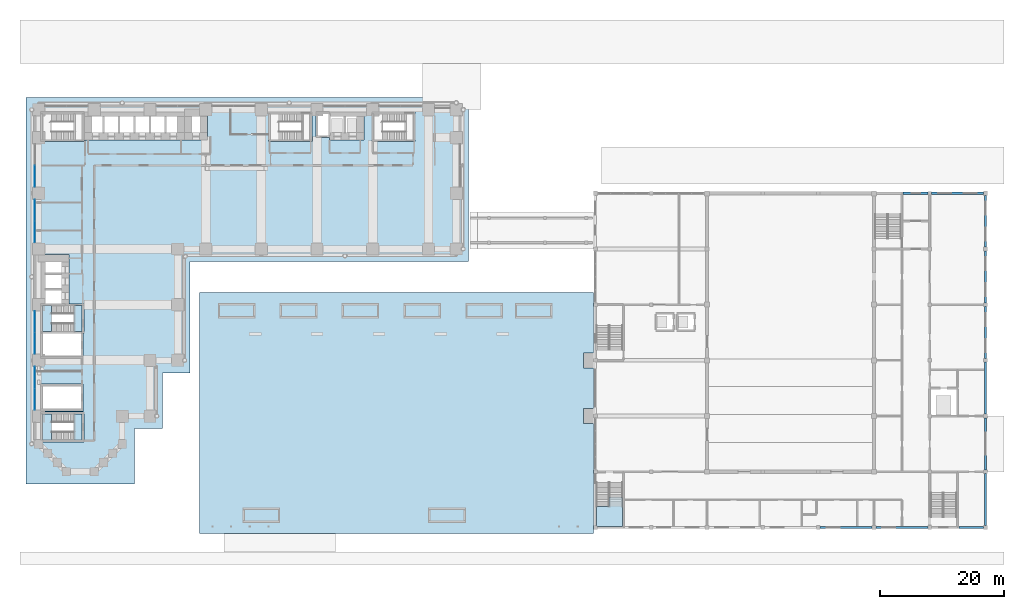
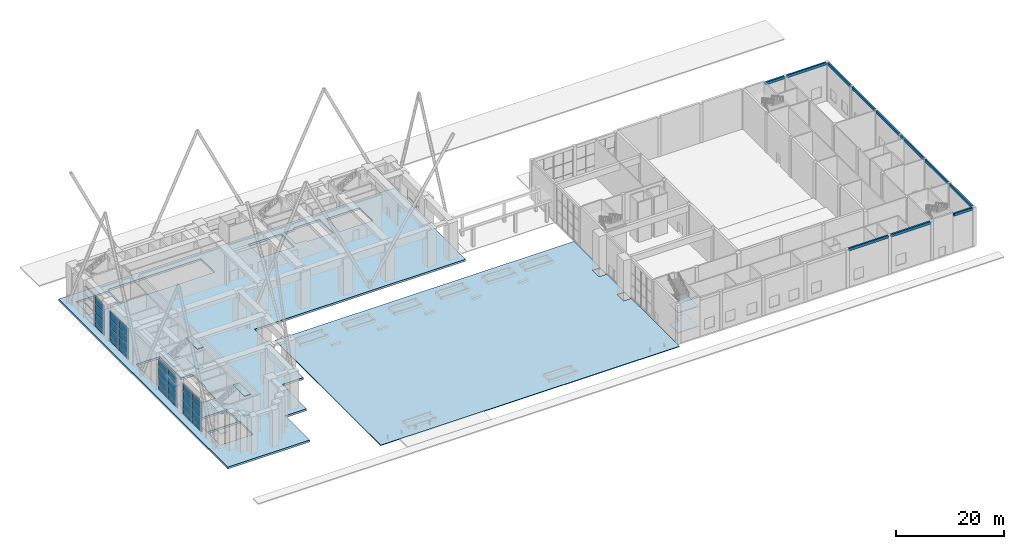
# One storey, part 23 of 44: 28 plates, 12 slabs, 11 beams, 7 elements without a shape of their own.
"""IFC4 building model written with IfcOpenShell, lengths in metres."""

from ifc_helpers import new_model, si_unit, direction, frame, origin, origin_2d, place, context, subcontext, project, spatial, polyline, rectangle, outline, extrude, material, layer, layer_set, material_profile, profile_set, type_object, element, aggregate, save


model = new_model("IFC4")

# Units and contexts
model_context = context("Model", 3, precision=1e-05, world=origin(), true_north=direction((0.0, 1.0)))
body_context = subcontext(model_context, "Body", "Model", "MODEL_VIEW")
ifc_project = project(units=[si_unit("LENGTHUNIT", "METRE"), si_unit("AREAUNIT", "SQUARE_METRE"), si_unit("VOLUMEUNIT", "CUBIC_METRE"), si_unit("PLANEANGLEUNIT", "RADIAN"), si_unit("MASSUNIT", "GRAM", prefix="KILO")], contexts=[model_context])

# Site, building, storey
site_placement = place(None, origin())
site = spatial("IfcSite", under=ifc_project, at=site_placement, CompositionType="ELEMENT")
building_placement = place(site_placement, origin())
building = spatial("IfcBuilding", under=site, at=building_placement, Name="Firuza Court", CompositionType="ELEMENT")
storey_placement = place(building_placement, origin())
storey = spatial("IfcBuildingStorey", under=building, at=storey_placement, Name="L00", CompositionType="ELEMENT", Elevation=0.0)

# Beams
ifc_material_1 = material(Name="Concrete C40/50", Category="concrete")
ifc_material_profile = material_profile(ifc_material_1, rectangle(XDim=0.35009765625, YDim=0.60009765625, at=origin_2d()), Name="RC 350X600")
ifc_profile_set = profile_set([ifc_material_profile], Name="Concrete C40/50")
beam_type = type_object("IfcBeamType", Name="RC RING BEAM 350X600", PredefinedType="BEAM", material=ifc_profile_set)
for number, where, z_axis, x_axis, name in (
    (1, (126.300048828125, -9.0, 8.39990234375), (1.0, 0.0, 0.0), (0.0, 1.0, 0.0), "Edge beam S2.1 L00"),
    (2, (135.300048828125, -9.0, 8.39990234375), (1.0, 0.0, 0.0), (0.0, 1.0, 0.0), "Edge beam S4.1 L00"),
):
    element("IfcBeam", number, at=place(storey_placement, frame(where, z_axis=z_axis, x_axis=x_axis)), inside=storey, type_object=beam_type, Name=name, PredefinedType="BEAM", context=body_context, shape_type="SweptSolid", body=[
        extrude(rectangle(XDim=0.35009765625, YDim=0.60009765625, at=origin_2d()), origin(), (0.0, 0.0, 1.0), 8.39990234375),
    ])
beam_1_placement = place(storey_placement, frame((139.699951171875, 45.0, 8.39990234375), z_axis=(1.0, 0.0, 0.0), x_axis=(0.0, 1.0, 0.0)))
element("IfcBeam", 3, at=beam_1_placement, inside=storey, type_object=beam_type, Name="Edge beam N5.1 L00", PredefinedType="BEAM", context=body_context, shape_type="SweptSolid", body=[
    extrude(rectangle(XDim=0.35009765625, YDim=0.60009765625, at=origin_2d()), origin(), (0.0, 0.0, 1.0), 4.0),
])
beam_2_placement = place(storey_placement, frame((148.699951171875, -9.0, 8.39990234375), z_axis=(1.0, 0.0, 0.0), x_axis=(0.0, 1.0, 0.0)))
element("IfcBeam", 4, at=beam_2_placement, inside=storey, type_object=beam_type, Name="Edge beam S6.1 L00", PredefinedType="BEAM", context=body_context, shape_type="SweptSolid", body=[
    extrude(rectangle(XDim=0.35009765625, YDim=0.60009765625, at=origin_2d()), origin(), (0.0, 0.0, 1.0), 3.949951171875),
])
for number, where, z_axis, x_axis, name in (
    (5, (144.300048828125, 45.0, 8.39990234375), (1.0, 0.0, 0.0), (0.0, 1.0, 0.0), "Edge beam N7.1 L00"),
    (6, (153.0, -8.64990234375, 8.39990234375), (0.0, 1.0, 0.0), (-1.0, 0.0, 0.0), "Edge beam E2.1 L00"),
):
    element("IfcBeam", number, at=place(storey_placement, frame(where, z_axis=z_axis, x_axis=x_axis)), inside=storey, type_object=beam_type, Name=name, PredefinedType="BEAM", context=body_context, shape_type="SweptSolid", body=[
        extrude(rectangle(XDim=0.35009765625, YDim=0.60009765625, at=origin_2d()), origin(), (0.0, 0.0, 1.0), 8.349853515625),
    ])
for number, where, z_axis, x_axis, name in (
    (7, (153.0, 0.300048828125, 8.39990234375), (0.0, 1.0, 0.0), (-1.0, 0.0, 0.0), "Edge beam E4.1 L00"),
    (8, (153.0, 9.300048828125, 8.39990234375), (0.0, 1.0, 0.0), (-1.0, 0.0, 0.0), "Edge beam E6.1 L00"),
    (9, (153.0, 18.300048828125, 8.39990234375), (0.0, 1.0, 0.0), (-1.0, 0.0, 0.0), "Edge beam E1.1 L00"),
    (10, (153.0, 27.300048828125, 8.39990234375), (0.0, 1.0, 0.0), (-1.0, 0.0, 0.0), "Edge beam E3.1 L00"),
):
    element("IfcBeam", number, at=place(storey_placement, frame(where, z_axis=z_axis, x_axis=x_axis)), inside=storey, type_object=beam_type, Name=name, PredefinedType="BEAM", context=body_context, shape_type="SweptSolid", body=[
        extrude(rectangle(XDim=0.35009765625, YDim=0.60009765625, at=origin_2d()), origin(), (0.0, 0.0, 1.0), 8.39990234375),
    ])
beam_3_placement = place(storey_placement, frame((153.0, 36.300048828125, 8.39990234375), z_axis=(0.0, 1.0, 0.0), x_axis=(-1.0, 0.0, 0.0)))
element("IfcBeam", 11, at=beam_3_placement, inside=storey, type_object=beam_type, Name="Edge beam E5.1 L00", PredefinedType="BEAM", context=body_context, shape_type="SweptSolid", body=[
    extrude(rectangle(XDim=0.35009765625, YDim=0.60009765625, at=origin_2d()), origin(), (0.0, 0.0, 1.0), 8.349853515625),
])

# Curtain wall, plates
ifc_material_2 = material(Name="Aluminium curtain wall, triple clear glazing", Category="aluminium")
curtain_wall_type = type_object("IfcCurtainWallType", Name="Ground lobby stick shopfront CW2", PredefinedType="NOTDEFINED", material=ifc_material_2)
curtain_wall_1_placement = place(storey_placement, origin())
curtain_wall_1 = element("IfcCurtainWall", 12, at=curtain_wall_1_placement, inside=storey, type_object=curtain_wall_type, Name="Ground lobby stick shopfront CW2 L00", PredefinedType="NOTDEFINED")
ifc_material_3 = material(Name="Triple clear glazing", Category="glass")
ifc_layer_1 = layer(ifc_material_3, 0.031982421875)
ifc_layer_set_1 = layer_set([ifc_layer_1], Name="Triple clear glazing")
plate_type = type_object("IfcPlateType", Name="Glazed panel 32 CW2", PredefinedType="CURTAIN_PANEL", material=ifc_layer_set_1)
plate_1_placement = place(storey_placement, frame((-0.60009765625, 47.764892578125, 0.06005859375), z_axis=(0.0, 0.0, 1.0), x_axis=(0.0, -1.0, 0.0)))
plate_1 = element("IfcPlate", 13, at=plate_1_placement, type_object=plate_type, Name="CW2 panel 2.1", PredefinedType="CURTAIN_PANEL", context=body_context, shape_type="SweptSolid", body=[
    extrude(rectangle(XDim=3.409912109375, YDim=0.031982421875, at=origin_2d()), origin(), (0.0, 0.0, 1.0), 1.110107421875),
])
plate_2_placement = place(storey_placement, frame((-0.60009765625, 47.764892578125, 1.22998046875), z_axis=(0.0, 0.0, 1.0), x_axis=(0.0, -1.0, 0.0)))
plate_2 = element("IfcPlate", 14, at=plate_2_placement, type_object=plate_type, Name="CW2 panel 2.2", PredefinedType="CURTAIN_PANEL", context=body_context, shape_type="SweptSolid", body=[
    extrude(rectangle(XDim=3.409912109375, YDim=0.031982421875, at=origin_2d()), origin(), (0.0, 0.0, 1.0), 1.93994140625),
])
plate_3_placement = place(storey_placement, frame((-0.60009765625, 47.764892578125, 3.22998046875), z_axis=(0.0, 0.0, 1.0), x_axis=(0.0, -1.0, 0.0)))
plate_3 = element("IfcPlate", 15, at=plate_3_placement, type_object=plate_type, Name="CW2 panel 2.3", PredefinedType="CURTAIN_PANEL", context=body_context, shape_type="SweptSolid", body=[
    extrude(rectangle(XDim=3.409912109375, YDim=0.031982421875, at=origin_2d()), origin(), (0.0, 0.0, 1.0), 1.93994140625),
])
plate_4_placement = place(storey_placement, frame((-0.60009765625, 47.764892578125, 5.22998046875), z_axis=(0.0, 0.0, 1.0), x_axis=(0.0, -1.0, 0.0)))
plate_4 = element("IfcPlate", 16, at=plate_4_placement, type_object=plate_type, Name="CW2 panel 2.4", PredefinedType="CURTAIN_PANEL", context=body_context, shape_type="SweptSolid", body=[
    extrude(rectangle(XDim=3.409912109375, YDim=0.031982421875, at=origin_2d()), origin(), (0.0, 0.0, 1.0), 1.7099609375),
])
aggregate(curtain_wall_1, [plate_1, plate_2, plate_3, plate_4])

curtain_wall_2_placement = place(storey_placement, origin())
curtain_wall_2 = element("IfcCurtainWall", 17, at=curtain_wall_2_placement, inside=storey, type_object=curtain_wall_type, Name="Ground lobby stick shopfront CW2 L00", PredefinedType="NOTDEFINED")
plate_5_placement = place(storey_placement, frame((-0.60009765625, 42.235107421875, 0.06005859375), z_axis=(0.0, 0.0, 1.0), x_axis=(0.0, -1.0, 0.0)))
plate_5 = element("IfcPlate", 18, at=plate_5_placement, type_object=plate_type, Name="CW2 panel 1.1", PredefinedType="CURTAIN_PANEL", context=body_context, shape_type="SweptSolid", body=[
    extrude(rectangle(XDim=3.409912109375, YDim=0.031982421875, at=origin_2d()), origin(), (0.0, 0.0, 1.0), 1.110107421875),
])
plate_6_placement = place(storey_placement, frame((-0.60009765625, 42.235107421875, 1.22998046875), z_axis=(0.0, 0.0, 1.0), x_axis=(0.0, -1.0, 0.0)))
plate_6 = element("IfcPlate", 19, at=plate_6_placement, type_object=plate_type, Name="CW2 panel 1.2", PredefinedType="CURTAIN_PANEL", context=body_context, shape_type="SweptSolid", body=[
    extrude(rectangle(XDim=3.409912109375, YDim=0.031982421875, at=origin_2d()), origin(), (0.0, 0.0, 1.0), 1.93994140625),
])
plate_7_placement = place(storey_placement, frame((-0.60009765625, 42.235107421875, 3.22998046875), z_axis=(0.0, 0.0, 1.0), x_axis=(0.0, -1.0, 0.0)))
plate_7 = element("IfcPlate", 20, at=plate_7_placement, type_object=plate_type, Name="CW2 panel 1.3", PredefinedType="CURTAIN_PANEL", context=body_context, shape_type="SweptSolid", body=[
    extrude(rectangle(XDim=3.409912109375, YDim=0.031982421875, at=origin_2d()), origin(), (0.0, 0.0, 1.0), 1.93994140625),
])
plate_8_placement = place(storey_placement, frame((-0.60009765625, 42.235107421875, 5.22998046875), z_axis=(0.0, 0.0, 1.0), x_axis=(0.0, -1.0, 0.0)))
plate_8 = element("IfcPlate", 21, at=plate_8_placement, type_object=plate_type, Name="CW2 panel 1.4", PredefinedType="CURTAIN_PANEL", context=body_context, shape_type="SweptSolid", body=[
    extrude(rectangle(XDim=3.409912109375, YDim=0.031982421875, at=origin_2d()), origin(), (0.0, 0.0, 1.0), 1.7099609375),
])
plate_9_placement = place(storey_placement, frame((-0.60009765625, 38.764892578125, 0.06005859375), z_axis=(0.0, 0.0, 1.0), x_axis=(0.0, -1.0, 0.0)))
plate_9 = element("IfcPlate", 22, at=plate_9_placement, type_object=plate_type, Name="CW2 panel 2.1", PredefinedType="CURTAIN_PANEL", context=body_context, shape_type="SweptSolid", body=[
    extrude(rectangle(XDim=3.409912109375, YDim=0.031982421875, at=origin_2d()), origin(), (0.0, 0.0, 1.0), 1.110107421875),
])
plate_10_placement = place(storey_placement, frame((-0.60009765625, 38.764892578125, 1.22998046875), z_axis=(0.0, 0.0, 1.0), x_axis=(0.0, -1.0, 0.0)))
plate_10 = element("IfcPlate", 23, at=plate_10_placement, type_object=plate_type, Name="CW2 panel 2.2", PredefinedType="CURTAIN_PANEL", context=body_context, shape_type="SweptSolid", body=[
    extrude(rectangle(XDim=3.409912109375, YDim=0.031982421875, at=origin_2d()), origin(), (0.0, 0.0, 1.0), 1.93994140625),
])
plate_11_placement = place(storey_placement, frame((-0.60009765625, 38.764892578125, 3.22998046875), z_axis=(0.0, 0.0, 1.0), x_axis=(0.0, -1.0, 0.0)))
plate_11 = element("IfcPlate", 24, at=plate_11_placement, type_object=plate_type, Name="CW2 panel 2.3", PredefinedType="CURTAIN_PANEL", context=body_context, shape_type="SweptSolid", body=[
    extrude(rectangle(XDim=3.409912109375, YDim=0.031982421875, at=origin_2d()), origin(), (0.0, 0.0, 1.0), 1.93994140625),
])
plate_12_placement = place(storey_placement, frame((-0.60009765625, 38.764892578125, 5.22998046875), z_axis=(0.0, 0.0, 1.0), x_axis=(0.0, -1.0, 0.0)))
plate_12 = element("IfcPlate", 25, at=plate_12_placement, type_object=plate_type, Name="CW2 panel 2.4", PredefinedType="CURTAIN_PANEL", context=body_context, shape_type="SweptSolid", body=[
    extrude(rectangle(XDim=3.409912109375, YDim=0.031982421875, at=origin_2d()), origin(), (0.0, 0.0, 1.0), 1.7099609375),
])
aggregate(curtain_wall_2, [plate_5, plate_6, plate_7, plate_8, plate_9, plate_10, plate_11, plate_12])

curtain_wall_3_placement = place(storey_placement, origin())
curtain_wall_3 = element("IfcCurtainWall", 26, at=curtain_wall_3_placement, inside=storey, type_object=curtain_wall_type, Name="Ground lobby stick shopfront CW2 L00", PredefinedType="NOTDEFINED")
plate_13_placement = place(storey_placement, frame((-0.60009765625, 24.235107421875, 0.06005859375), z_axis=(0.0, 0.0, 1.0), x_axis=(0.0, -1.0, 0.0)))
plate_13 = element("IfcPlate", 27, at=plate_13_placement, type_object=plate_type, Name="CW2 panel 1.1", PredefinedType="CURTAIN_PANEL", context=body_context, shape_type="SweptSolid", body=[
    extrude(rectangle(XDim=3.409912109375, YDim=0.031982421875, at=origin_2d()), origin(), (0.0, 0.0, 1.0), 1.110107421875),
])
plate_14_placement = place(storey_placement, frame((-0.60009765625, 24.235107421875, 1.22998046875), z_axis=(0.0, 0.0, 1.0), x_axis=(0.0, -1.0, 0.0)))
plate_14 = element("IfcPlate", 28, at=plate_14_placement, type_object=plate_type, Name="CW2 panel 1.2", PredefinedType="CURTAIN_PANEL", context=body_context, shape_type="SweptSolid", body=[
    extrude(rectangle(XDim=3.409912109375, YDim=0.031982421875, at=origin_2d()), origin(), (0.0, 0.0, 1.0), 1.93994140625),
])
plate_15_placement = place(storey_placement, frame((-0.60009765625, 24.235107421875, 3.22998046875), z_axis=(0.0, 0.0, 1.0), x_axis=(0.0, -1.0, 0.0)))
plate_15 = element("IfcPlate", 29, at=plate_15_placement, type_object=plate_type, Name="CW2 panel 1.3", PredefinedType="CURTAIN_PANEL", context=body_context, shape_type="SweptSolid", body=[
    extrude(rectangle(XDim=3.409912109375, YDim=0.031982421875, at=origin_2d()), origin(), (0.0, 0.0, 1.0), 1.93994140625),
])
plate_16_placement = place(storey_placement, frame((-0.60009765625, 24.235107421875, 5.22998046875), z_axis=(0.0, 0.0, 1.0), x_axis=(0.0, -1.0, 0.0)))
plate_16 = element("IfcPlate", 30, at=plate_16_placement, type_object=plate_type, Name="CW2 panel 1.4", PredefinedType="CURTAIN_PANEL", context=body_context, shape_type="SweptSolid", body=[
    extrude(rectangle(XDim=3.409912109375, YDim=0.031982421875, at=origin_2d()), origin(), (0.0, 0.0, 1.0), 1.7099609375),
])
plate_17_placement = place(storey_placement, frame((-0.60009765625, 20.764892578125, 0.06005859375), z_axis=(0.0, 0.0, 1.0), x_axis=(0.0, -1.0, 0.0)))
plate_17 = element("IfcPlate", 31, at=plate_17_placement, type_object=plate_type, Name="CW2 panel 2.1", PredefinedType="CURTAIN_PANEL", context=body_context, shape_type="SweptSolid", body=[
    extrude(rectangle(XDim=3.409912109375, YDim=0.031982421875, at=origin_2d()), origin(), (0.0, 0.0, 1.0), 1.110107421875),
])
plate_18_placement = place(storey_placement, frame((-0.60009765625, 20.764892578125, 1.22998046875), z_axis=(0.0, 0.0, 1.0), x_axis=(0.0, -1.0, 0.0)))
plate_18 = element("IfcPlate", 32, at=plate_18_placement, type_object=plate_type, Name="CW2 panel 2.2", PredefinedType="CURTAIN_PANEL", context=body_context, shape_type="SweptSolid", body=[
    extrude(rectangle(XDim=3.409912109375, YDim=0.031982421875, at=origin_2d()), origin(), (0.0, 0.0, 1.0), 1.93994140625),
])
plate_19_placement = place(storey_placement, frame((-0.60009765625, 20.764892578125, 3.22998046875), z_axis=(0.0, 0.0, 1.0), x_axis=(0.0, -1.0, 0.0)))
plate_19 = element("IfcPlate", 33, at=plate_19_placement, type_object=plate_type, Name="CW2 panel 2.3", PredefinedType="CURTAIN_PANEL", context=body_context, shape_type="SweptSolid", body=[
    extrude(rectangle(XDim=3.409912109375, YDim=0.031982421875, at=origin_2d()), origin(), (0.0, 0.0, 1.0), 1.93994140625),
])
plate_20_placement = place(storey_placement, frame((-0.60009765625, 20.764892578125, 5.22998046875), z_axis=(0.0, 0.0, 1.0), x_axis=(0.0, -1.0, 0.0)))
plate_20 = element("IfcPlate", 34, at=plate_20_placement, type_object=plate_type, Name="CW2 panel 2.4", PredefinedType="CURTAIN_PANEL", context=body_context, shape_type="SweptSolid", body=[
    extrude(rectangle(XDim=3.409912109375, YDim=0.031982421875, at=origin_2d()), origin(), (0.0, 0.0, 1.0), 1.7099609375),
])
aggregate(curtain_wall_3, [plate_13, plate_14, plate_15, plate_16, plate_17, plate_18, plate_19, plate_20])

curtain_wall_4_placement = place(storey_placement, origin())
curtain_wall_4 = element("IfcCurtainWall", 35, at=curtain_wall_4_placement, inside=storey, type_object=curtain_wall_type, Name="Ground lobby stick shopfront CW2 L00", PredefinedType="NOTDEFINED")
plate_21_placement = place(storey_placement, frame((-0.60009765625, 15.235107421875, 0.06005859375), z_axis=(0.0, 0.0, 1.0), x_axis=(0.0, -1.0, 0.0)))
plate_21 = element("IfcPlate", 36, at=plate_21_placement, type_object=plate_type, Name="CW2 panel 1.1", PredefinedType="CURTAIN_PANEL", context=body_context, shape_type="SweptSolid", body=[
    extrude(rectangle(XDim=3.409912109375, YDim=0.031982421875, at=origin_2d()), origin(), (0.0, 0.0, 1.0), 1.110107421875),
])
plate_22_placement = place(storey_placement, frame((-0.60009765625, 15.235107421875, 1.22998046875), z_axis=(0.0, 0.0, 1.0), x_axis=(0.0, -1.0, 0.0)))
plate_22 = element("IfcPlate", 37, at=plate_22_placement, type_object=plate_type, Name="CW2 panel 1.2", PredefinedType="CURTAIN_PANEL", context=body_context, shape_type="SweptSolid", body=[
    extrude(rectangle(XDim=3.409912109375, YDim=0.031982421875, at=origin_2d()), origin(), (0.0, 0.0, 1.0), 1.93994140625),
])
plate_23_placement = place(storey_placement, frame((-0.60009765625, 15.235107421875, 3.22998046875), z_axis=(0.0, 0.0, 1.0), x_axis=(0.0, -1.0, 0.0)))
plate_23 = element("IfcPlate", 38, at=plate_23_placement, type_object=plate_type, Name="CW2 panel 1.3", PredefinedType="CURTAIN_PANEL", context=body_context, shape_type="SweptSolid", body=[
    extrude(rectangle(XDim=3.409912109375, YDim=0.031982421875, at=origin_2d()), origin(), (0.0, 0.0, 1.0), 1.93994140625),
])
plate_24_placement = place(storey_placement, frame((-0.60009765625, 15.235107421875, 5.22998046875), z_axis=(0.0, 0.0, 1.0), x_axis=(0.0, -1.0, 0.0)))
plate_24 = element("IfcPlate", 39, at=plate_24_placement, type_object=plate_type, Name="CW2 panel 1.4", PredefinedType="CURTAIN_PANEL", context=body_context, shape_type="SweptSolid", body=[
    extrude(rectangle(XDim=3.409912109375, YDim=0.031982421875, at=origin_2d()), origin(), (0.0, 0.0, 1.0), 1.7099609375),
])
plate_25_placement = place(storey_placement, frame((-0.60009765625, 11.764892578125, 0.06005859375), z_axis=(0.0, 0.0, 1.0), x_axis=(0.0, -1.0, 0.0)))
plate_25 = element("IfcPlate", 40, at=plate_25_placement, type_object=plate_type, Name="CW2 panel 2.1", PredefinedType="CURTAIN_PANEL", context=body_context, shape_type="SweptSolid", body=[
    extrude(rectangle(XDim=3.409912109375, YDim=0.031982421875, at=origin_2d()), origin(), (0.0, 0.0, 1.0), 1.110107421875),
])
plate_26_placement = place(storey_placement, frame((-0.60009765625, 11.764892578125, 1.22998046875), z_axis=(0.0, 0.0, 1.0), x_axis=(0.0, -1.0, 0.0)))
plate_26 = element("IfcPlate", 41, at=plate_26_placement, type_object=plate_type, Name="CW2 panel 2.2", PredefinedType="CURTAIN_PANEL", context=body_context, shape_type="SweptSolid", body=[
    extrude(rectangle(XDim=3.409912109375, YDim=0.031982421875, at=origin_2d()), origin(), (0.0, 0.0, 1.0), 1.93994140625),
])
plate_27_placement = place(storey_placement, frame((-0.60009765625, 11.764892578125, 3.22998046875), z_axis=(0.0, 0.0, 1.0), x_axis=(0.0, -1.0, 0.0)))
plate_27 = element("IfcPlate", 42, at=plate_27_placement, type_object=plate_type, Name="CW2 panel 2.3", PredefinedType="CURTAIN_PANEL", context=body_context, shape_type="SweptSolid", body=[
    extrude(rectangle(XDim=3.409912109375, YDim=0.031982421875, at=origin_2d()), origin(), (0.0, 0.0, 1.0), 1.93994140625),
])
plate_28_placement = place(storey_placement, frame((-0.60009765625, 11.764892578125, 5.22998046875), z_axis=(0.0, 0.0, 1.0), x_axis=(0.0, -1.0, 0.0)))
plate_28 = element("IfcPlate", 43, at=plate_28_placement, type_object=plate_type, Name="CW2 panel 2.4", PredefinedType="CURTAIN_PANEL", context=body_context, shape_type="SweptSolid", body=[
    extrude(rectangle(XDim=3.409912109375, YDim=0.031982421875, at=origin_2d()), origin(), (0.0, 0.0, 1.0), 1.7099609375),
])
aggregate(curtain_wall_4, [plate_21, plate_22, plate_23, plate_24, plate_25, plate_26, plate_27, plate_28])

# Slabs
ifc_material_4 = material(Name="Concrete C35/45", Category="concrete")
ifc_layer_2 = layer(ifc_material_4, 0.449951171875)
ifc_layer_set_2 = layer_set([ifc_layer_2], Name="Concrete C35/45")
slab_type_1 = type_object("IfcSlabType", Name="Ground floor slab 450", PredefinedType="FLOOR", material=ifc_layer_set_2)
slab_1_placement = place(storey_placement, frame((0.0, 0.0, -0.449951171875)))
element("IfcSlab", 44, at=slab_1_placement, inside=storey, type_object=slab_type_1, Name="L00 ground floor slab", PredefinedType="FLOOR", context=body_context, shape_type="SweptSolid", body=[
    extrude(outline(polyline([(-2.0, -2.0), (15.5, -2.0), (15.5, 7.0), (20.0, 7.0), (20.0, 16.0), (24.5, 16.0), (24.5, 34.0), (69.5, 34.0), (69.5, 60.5), (-2.0, 60.5), (-2.0, -2.0)]), holes=[polyline([(7.35009765625, 9.64990234375), (7.35009765625, 4.85009765625), (0.35009765625, 4.85009765625), (0.35009765625, 9.64990234375), (7.35009765625, 9.64990234375)]), polyline([(7.14990234375, 14.14990234375), (7.14990234375, 9.85009765625), (0.35009765625, 9.85009765625), (0.35009765625, 14.14990234375), (7.14990234375, 14.14990234375)]), polyline([(-0.10009765625, 31.39990234375), (-0.10009765625, 32.60009765625), (-0.10009765625, 35.10009765625), (4.89990234375, 35.10009765625), (4.89990234375, 32.60009765625), (4.89990234375, 31.39990234375), (4.89990234375, 30.10009765625), (4.89990234375, 28.89990234375), (4.89990234375, 27.14990234375), (7.35009765625, 27.14990234375), (7.35009765625, 22.35009765625), (7.14990234375, 22.35009765625), (7.14990234375, 18.35009765625), (0.35009765625, 18.35009765625), (0.35009765625, 22.35009765625), (0.35009765625, 22.64990234375), (0.35009765625, 26.39990234375), (0.35009765625, 26.85009765625), (0.35009765625, 27.0), (-0.10009765625, 27.0), (-0.10009765625, 28.89990234375), (-0.10009765625, 30.10009765625), (-0.10009765625, 31.39990234375)]), polyline([(7.35009765625, 58.14990234375), (7.35009765625, 53.35009765625), (0.35009765625, 53.35009765625), (0.35009765625, 58.14990234375), (7.35009765625, 58.14990234375)]), polyline([(14.89990234375, 58.60009765625), (16.10009765625, 58.60009765625), (17.39990234375, 58.60009765625), (18.60009765625, 58.60009765625), (19.89990234375, 58.60009765625), (21.10009765625, 58.60009765625), (23.60009765625, 58.60009765625), (23.60009765625, 58.60009765625), (27.300048828125, 58.60009765625), (27.300048828125, 53.60009765625), (23.60009765625, 53.60009765625), (23.60009765625, 53.60009765625), (21.10009765625, 53.60009765625), (19.89990234375, 53.60009765625), (18.60009765625, 53.60009765625), (17.39990234375, 53.60009765625), (16.10009765625, 53.60009765625), (14.89990234375, 53.60009765625), (13.60009765625, 53.60009765625), (12.39990234375, 53.60009765625), (11.10009765625, 53.60009765625), (9.89990234375, 53.60009765625), (7.39990234375, 53.60009765625), (7.39990234375, 58.60009765625), (9.89990234375, 58.60009765625), (11.10009765625, 58.60009765625), (12.39990234375, 58.60009765625), (13.60009765625, 58.60009765625), (14.89990234375, 58.60009765625)]), polyline([(44.14990234375, 58.14990234375), (44.14990234375, 53.35009765625), (37.14990234375, 53.35009765625), (37.14990234375, 58.14990234375), (44.14990234375, 58.14990234375)]), polyline([(60.85009765625, 58.14990234375), (60.85009765625, 53.35009765625), (53.85009765625, 53.35009765625), (53.85009765625, 58.14990234375), (60.85009765625, 58.14990234375)]), polyline([(52.60009765625, 58.60009765625), (52.60009765625, 53.60009765625), (50.10009765625, 53.60009765625), (48.89990234375, 53.60009765625), (47.0, 53.60009765625), (47.0, 54.050048828125), (46.39990234375, 54.050048828125), (44.85009765625, 54.050048828125), (44.85009765625, 58.14990234375), (46.39990234375, 58.14990234375), (47.0, 58.14990234375), (47.0, 58.60009765625), (48.89990234375, 58.60009765625), (50.10009765625, 58.60009765625), (52.60009765625, 58.60009765625)])]), origin(), (0.0, 0.0, 1.0), 0.449951171875),
])
ifc_material_5 = material(Name="Concrete C30/37", Category="concrete")
ifc_layer_3 = layer(ifc_material_5, 0.1201171875)
ifc_material_6 = material(Name="Porcelain paving tile", Category="ceramic")
ifc_layer_4 = layer(ifc_material_6, 0.030029296875)
ifc_layer_set_3 = layer_set([ifc_layer_3, ifc_layer_4], Name="Concrete C30/37")
slab_type_2 = type_object("IfcSlabType", Name="HALL PAVING 150", PredefinedType="USERDEFINED", material=ifc_layer_set_3)
slab_2_placement = place(storey_placement, frame((0.0, 0.0, -0.14990234375)))
element("IfcSlab", 45, at=slab_2_placement, inside=storey, type_object=slab_type_2, Name="Plaza paving", ObjectType="PAVING", PredefinedType="USERDEFINED", context=body_context, shape_type="SweptSolid", body=[
    extrude(outline(polyline([(26.0, 29.0), (86.0, 29.0), (89.699951171875, 29.0), (89.699951171875, -10.0), (86.0, -10.0), (26.0, -10.0), (26.0, 29.0)]), holes=[polyline([(89.64990234375, 7.800048828125), (89.64990234375, 10.199951171875), (88.050048828125, 10.199951171875), (88.050048828125, 7.800048828125), (89.64990234375, 7.800048828125)]), polyline([(89.64990234375, 16.800048828125), (89.64990234375, 19.199951171875), (88.050048828125, 19.199951171875), (88.050048828125, 16.800048828125), (89.64990234375, 16.800048828125)])]), origin(), (0.0, 0.0, 1.0), 0.14990234375),
])

# Stair, slabs
ifc_material_7 = material(Name="Concrete C40/50", Category="concrete")
stair_type_1 = type_object("IfcStairType", Name="HALL STAIR", PredefinedType="NOTDEFINED", material=ifc_material_7)
stair_1_placement = place(storey_placement, origin())
stair_1 = element("IfcStair", 46, at=stair_1_placement, inside=storey, type_object=stair_type_1, Name="Stair H1 L00", PredefinedType="NOTDEFINED")
ifc_material_8 = material(Name="Concrete C40/50", Category="concrete")
ifc_layer_5 = layer(ifc_material_8, 0.199951171875)
ifc_layer_set_4 = layer_set([ifc_layer_5], Name="Concrete C40/50")
slab_type_3 = type_object("IfcSlabType", Name="HALL STAIR LANDING 200", PredefinedType="LANDING", material=ifc_layer_set_4)
slab_3_placement = place(storey_placement, frame((0.0, 0.0, 2.050048828125)))
slab_3 = element("IfcSlab", 47, at=slab_3_placement, type_object=slab_type_3, Name="HS-1 landing 1", PredefinedType="LANDING", context=body_context, shape_type="SweptSolid", body=[
    extrude(outline(polyline([(90.125, -5.610107421875), (92.199951171875, -5.610107421875), (92.199951171875, -4.1201171875), (94.375, -4.1201171875), (94.375, -8.875), (90.125, -8.875), (90.125, -5.610107421875)])), origin(), (0.0, 0.0, 1.0), 0.199951171875),
])
slab_4_placement = place(storey_placement, frame((0.0, 0.0, 6.550048828125)))
slab_4 = element("IfcSlab", 48, at=slab_4_placement, type_object=slab_type_3, Name="HS-1 landing 3", PredefinedType="LANDING", context=body_context, shape_type="SweptSolid", body=[
    extrude(outline(polyline([(90.125, -5.610107421875), (92.199951171875, -5.610107421875), (92.199951171875, -4.1201171875), (94.375, -4.1201171875), (94.375, -8.875), (90.125, -8.875), (90.125, -5.610107421875)])), origin(), (0.0, 0.0, 1.0), 0.199951171875),
])
aggregate(stair_1, [slab_3, slab_4])

ifc_material_9 = material(Name="Concrete C40/50 precast", Category="concrete")
stair_type_2 = type_object("IfcStairType", Name="Stair 1350 x 9000 4 flights", PredefinedType="QUARTER_TURN_STAIR", material=ifc_material_9)
stair_2_placement = place(storey_placement, origin())
stair_2 = element("IfcStair", 49, at=stair_2_placement, inside=storey, type_object=stair_type_2, Name="Stair 2 L00", PredefinedType="QUARTER_TURN_STAIR")
ifc_material_10 = material(Name="Concrete C40/50 precast", Category="concrete")
ifc_layer_6 = layer(ifc_material_10, 0.199951171875)
ifc_layer_set_5 = layer_set([ifc_layer_6], Name="Concrete C40/50 precast")
slab_type_4 = type_object("IfcSlabType", Name="Stair landing 200", PredefinedType="LANDING", material=ifc_layer_set_5)
slab_5_placement = place(storey_placement, frame((0.0, 0.0, 2.050048828125)))
slab_5 = element("IfcSlab", 50, at=slab_5_placement, type_object=slab_type_4, Name="S2 landing 1", PredefinedType="LANDING", context=body_context, shape_type="SweptSolid", body=[
    extrude(outline(polyline([(2.06005859375, 22.64990234375), (2.06005859375, 26.85009765625), (0.64990234375, 26.85009765625), (0.64990234375, 22.64990234375), (2.06005859375, 22.64990234375)])), origin(), (0.0, 0.0, 1.0), 0.199951171875),
])
slab_6_placement = place(storey_placement, frame((0.0, 0.0, 4.300048828125)))
slab_6 = element("IfcSlab", 51, at=slab_6_placement, type_object=slab_type_4, Name="S2 landing 2", PredefinedType="LANDING", context=body_context, shape_type="SweptSolid", body=[
    extrude(outline(polyline([(7.050048828125, 22.64990234375), (7.050048828125, 26.85009765625), (5.699951171875, 26.85009765625), (5.699951171875, 22.64990234375), (7.050048828125, 22.64990234375)])), origin(), (0.0, 0.0, 1.0), 0.199951171875),
])
slab_7_placement = place(storey_placement, frame((0.0, 0.0, 6.550048828125)))
slab_7 = element("IfcSlab", 52, at=slab_7_placement, type_object=slab_type_4, Name="S2 landing 3", PredefinedType="LANDING", context=body_context, shape_type="SweptSolid", body=[
    extrude(outline(polyline([(2.06005859375, 22.64990234375), (2.06005859375, 26.85009765625), (0.64990234375, 26.85009765625), (0.64990234375, 22.64990234375), (2.06005859375, 22.64990234375)])), origin(), (0.0, 0.0, 1.0), 0.199951171875),
])
slab_8_placement = place(storey_placement, frame((0.0, 0.0, 8.800048828125)))
slab_8 = element("IfcSlab", 53, at=slab_8_placement, type_object=slab_type_4, Name="S2 landing 4", PredefinedType="LANDING", context=body_context, shape_type="SweptSolid", body=[
    extrude(outline(polyline([(7.050048828125, 22.64990234375), (7.050048828125, 26.85009765625), (5.699951171875, 26.85009765625), (5.699951171875, 22.64990234375), (7.050048828125, 22.64990234375)])), origin(), (0.0, 0.0, 1.0), 0.199951171875),
])
aggregate(stair_2, [slab_5, slab_6, slab_7, slab_8])

stair_3_placement = place(storey_placement, origin())
stair_3 = element("IfcStair", 54, at=stair_3_placement, inside=storey, type_object=stair_type_2, Name="Stair 5 L00", PredefinedType="QUARTER_TURN_STAIR")
slab_9_placement = place(storey_placement, frame((0.0, 0.0, 2.050048828125)))
slab_9 = element("IfcSlab", 55, at=slab_9_placement, type_object=slab_type_4, Name="S5 landing 1", PredefinedType="LANDING", context=body_context, shape_type="SweptSolid", body=[
    extrude(outline(polyline([(2.06005859375, 5.14990234375), (2.06005859375, 9.35009765625), (0.64990234375, 9.35009765625), (0.64990234375, 5.14990234375), (2.06005859375, 5.14990234375)])), origin(), (0.0, 0.0, 1.0), 0.199951171875),
])
slab_10_placement = place(storey_placement, frame((0.0, 0.0, 4.300048828125)))
slab_10 = element("IfcSlab", 56, at=slab_10_placement, type_object=slab_type_4, Name="S5 landing 2", PredefinedType="LANDING", context=body_context, shape_type="SweptSolid", body=[
    extrude(outline(polyline([(7.050048828125, 5.14990234375), (7.050048828125, 9.35009765625), (5.699951171875, 9.35009765625), (5.699951171875, 5.14990234375), (7.050048828125, 5.14990234375)])), origin(), (0.0, 0.0, 1.0), 0.199951171875),
])
slab_11_placement = place(storey_placement, frame((0.0, 0.0, 6.550048828125)))
slab_11 = element("IfcSlab", 57, at=slab_11_placement, type_object=slab_type_4, Name="S5 landing 3", PredefinedType="LANDING", context=body_context, shape_type="SweptSolid", body=[
    extrude(outline(polyline([(2.06005859375, 5.14990234375), (2.06005859375, 9.35009765625), (0.64990234375, 9.35009765625), (0.64990234375, 5.14990234375), (2.06005859375, 5.14990234375)])), origin(), (0.0, 0.0, 1.0), 0.199951171875),
])
slab_12_placement = place(storey_placement, frame((0.0, 0.0, 8.800048828125)))
slab_12 = element("IfcSlab", 58, at=slab_12_placement, type_object=slab_type_4, Name="S5 landing 4", PredefinedType="LANDING", context=body_context, shape_type="SweptSolid", body=[
    extrude(outline(polyline([(7.050048828125, 5.14990234375), (7.050048828125, 9.35009765625), (5.699951171875, 9.35009765625), (5.699951171875, 5.14990234375), (7.050048828125, 5.14990234375)])), origin(), (0.0, 0.0, 1.0), 0.199951171875),
])
aggregate(stair_3, [slab_9, slab_10, slab_11, slab_12])

save(model, "model.ifc")
